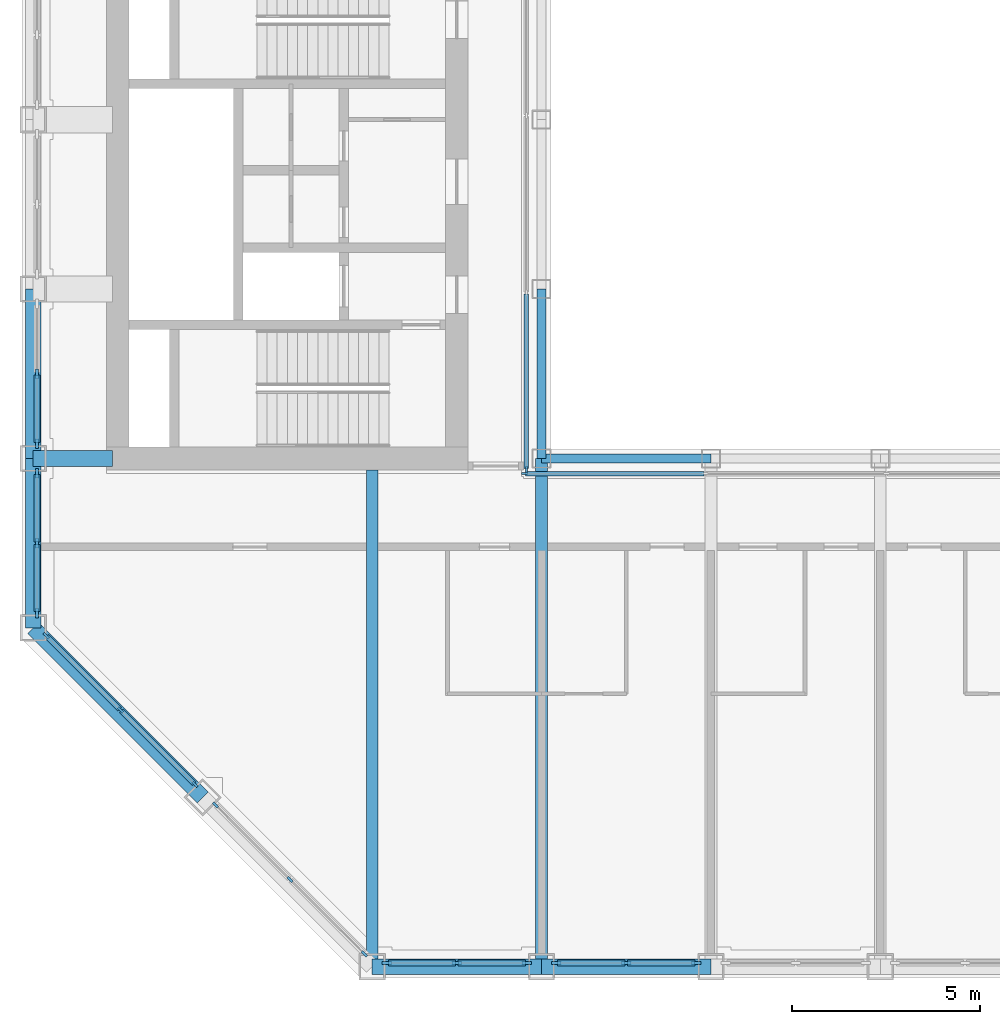
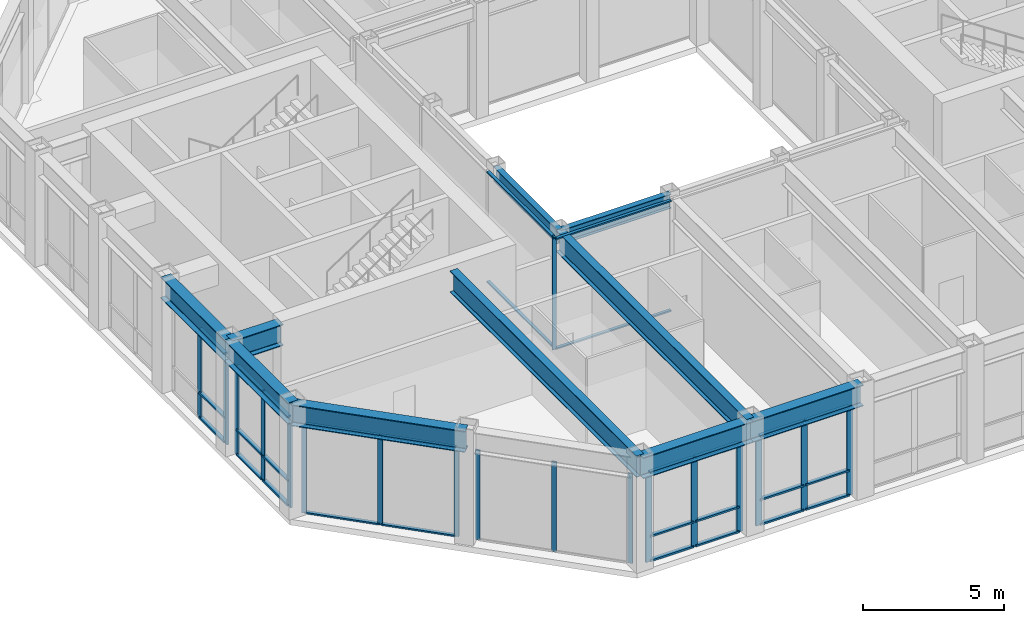
# One storey, part 2 of 15: 48 members, 10 beams, 8 elements without a shape of their own.
"""IFC4 building model written with IfcOpenShell, lengths in metres."""

from ifc_helpers import new_model, si_unit, direction, frame, origin, origin_2d, place, context, subcontext, project, spatial, rectangle, i_section, extrude, material, material_profile, profile_set, type_object, element, aggregate, save


model = new_model("IFC4")

# Units and contexts
model_context = context("Model", 3, precision=1e-05, world=origin(), true_north=direction((0.0, 1.0)))
body_context = subcontext(model_context, "Body", "Model", "MODEL_VIEW")
ifc_project = project(units=[si_unit("LENGTHUNIT", "METRE"), si_unit("AREAUNIT", "SQUARE_METRE"), si_unit("VOLUMEUNIT", "CUBIC_METRE"), si_unit("PLANEANGLEUNIT", "RADIAN"), si_unit("MASSUNIT", "GRAM", prefix="KILO")], contexts=[model_context])

# Site, building, storey
site_placement = place(None, origin())
site = spatial("IfcSite", under=ifc_project, at=site_placement, CompositionType="ELEMENT")
building_placement = place(site_placement, origin())
building = spatial("IfcBuilding", under=site, at=building_placement, Name="Msasa Ring Tower", CompositionType="ELEMENT")
storey_placement = place(building_placement, frame((0.0, 0.0, 195.800048828125)))
storey = spatial("IfcBuildingStorey", under=building, at=storey_placement, Name="L51", CompositionType="ELEMENT", Elevation=195.800048828125)

# Curtain wall, members
ifc_material_1 = material(Name="Aluminium curtain wall with clear glass", Category="aluminium")
curtain_wall_type_1 = type_object("IfcCurtainWallType", Name="CW-C CHAMFER CORNER CURTAIN WALL", PredefinedType="NOTDEFINED", material=ifc_material_1)
curtain_wall_1_placement = place(storey_placement, origin())
curtain_wall_1 = element("IfcCurtainWall", 1, at=curtain_wall_1_placement, inside=storey, type_object=curtain_wall_type_1, Name="Chamfer corner curtain wall SW L51", PredefinedType="NOTDEFINED")
ifc_material_2 = material(Name="Aluminium mullion", Category="aluminium")
ifc_material_profile_1 = material_profile(ifc_material_2, rectangle(XDim=0.06494140625, YDim=0.179931640625, at=origin_2d()), Name="AL 65x180")
ifc_profile_set_1 = profile_set([ifc_material_profile_1], Name="Aluminium mullion")
member_type_1 = type_object("IfcMemberType", Name="CW-C MULLION 65x180", PredefinedType="MULLION", material=ifc_profile_set_1)
member_1_placement = place(storey_placement, frame((-19.9052734375, -11.453369140625, 0.0), z_axis=(0.0, 0.0, 1.0), x_axis=(0.707106781187, 0.707106781187, 0.0)))
member_1 = element("IfcMember", 2, at=member_1_placement, type_object=member_type_1, Name="CW-C mullion 1", PredefinedType="MULLION", context=body_context, shape_type="SweptSolid", body=[
    extrude(rectangle(XDim=0.06494140625, YDim=0.179931640625, at=origin_2d()), origin(), (0.0, 0.0, 1.0), 3.87890625),
])
member_2_placement = place(storey_placement, frame((-17.92919921875, -13.42919921875, 0.0), z_axis=(0.0, 0.0, 1.0), x_axis=(0.707106781187, 0.707106781187, 0.0)))
member_2 = element("IfcMember", 3, at=member_2_placement, type_object=member_type_1, Name="CW-C mullion 2", PredefinedType="MULLION", context=body_context, shape_type="SweptSolid", body=[
    extrude(rectangle(XDim=0.06494140625, YDim=0.179931640625, at=origin_2d()), origin(), (0.0, 0.0, 1.0), 3.87890625),
])
member_3_placement = place(storey_placement, frame((-15.953369140625, -15.4052734375, 0.0), z_axis=(0.0, 0.0, 1.0), x_axis=(0.707106781187, 0.707106781187, 0.0)))
member_3 = element("IfcMember", 4, at=member_3_placement, type_object=member_type_1, Name="CW-C mullion 3", PredefinedType="MULLION", context=body_context, shape_type="SweptSolid", body=[
    extrude(rectangle(XDim=0.06494140625, YDim=0.179931640625, at=origin_2d()), origin(), (0.0, 0.0, 1.0), 3.87890625),
])

curtain_wall_2_placement = place(storey_placement, origin())
curtain_wall_2 = element("IfcCurtainWall", 5, at=curtain_wall_2_placement, inside=storey, type_object=curtain_wall_type_1, Name="Chamfer corner curtain wall SW L51", PredefinedType="NOTDEFINED")
member_4_placement = place(storey_placement, frame((-15.4052734375, -15.953369140625, 0.0), z_axis=(0.0, 0.0, 1.0), x_axis=(0.707106781187, 0.707106781187, 0.0)))
member_4 = element("IfcMember", 6, at=member_4_placement, type_object=member_type_1, Name="CW-C mullion 1", PredefinedType="MULLION", context=body_context, shape_type="SweptSolid", body=[
    extrude(rectangle(XDim=0.06494140625, YDim=0.179931640625, at=origin_2d()), origin(), (0.0, 0.0, 1.0), 3.87890625),
])
member_5_placement = place(storey_placement, frame((-13.42919921875, -17.92919921875, 0.0), z_axis=(0.0, 0.0, 1.0), x_axis=(0.707106781187, 0.707106781187, 0.0)))
member_5 = element("IfcMember", 7, at=member_5_placement, type_object=member_type_1, Name="CW-C mullion 2", PredefinedType="MULLION", context=body_context, shape_type="SweptSolid", body=[
    extrude(rectangle(XDim=0.06494140625, YDim=0.179931640625, at=origin_2d()), origin(), (0.0, 0.0, 1.0), 3.87890625),
])
member_6_placement = place(storey_placement, frame((-11.453369140625, -19.9052734375, 0.0), z_axis=(0.0, 0.0, 1.0), x_axis=(0.707106781187, 0.707106781187, 0.0)))
member_6 = element("IfcMember", 8, at=member_6_placement, type_object=member_type_1, Name="CW-C mullion 3", PredefinedType="MULLION", context=body_context, shape_type="SweptSolid", body=[
    extrude(rectangle(XDim=0.06494140625, YDim=0.179931640625, at=origin_2d()), origin(), (0.0, 0.0, 1.0), 3.87890625),
])
aggregate(curtain_wall_2, [member_4, member_5, member_6])

# Member
ifc_material_3 = material(Name="Aluminium transom", Category="aluminium")
ifc_material_profile_2 = material_profile(ifc_material_3, rectangle(XDim=0.139892578125, YDim=0.06494140625, at=origin_2d()), Name="AL 65x140")
ifc_profile_set_2 = profile_set([ifc_material_profile_2], Name="Aluminium transom")
member_type_2 = type_object("IfcMemberType", Name="CW-C TRANSOM 65x140", PredefinedType="USERDEFINED", material=ifc_profile_set_2)
member_7_placement = place(storey_placement, frame((-19.88232421875, -11.476318359375, 0.032470703125), z_axis=(0.707106781187, -0.707106781187, 0.0), x_axis=(0.707106781187, 0.707106781187, 0.0)))
member_7 = element("IfcMember", 9, at=member_7_placement, type_object=member_type_2, Name="CW-C transom 1.1", ObjectType="TRANSOM", PredefinedType="USERDEFINED", context=body_context, shape_type="SweptSolid", body=[
    extrude(rectangle(XDim=0.139892578125, YDim=0.06494140625, at=origin_2d()), origin(), (0.0, 0.0, 1.0), 2.729248046875),
])

member_8_placement = place(storey_placement, frame((-19.88232421875, -11.476318359375, 3.846435546875), z_axis=(0.707106781187, -0.707106781187, 0.0), x_axis=(0.707106781187, 0.707106781187, 0.0)))
member_8 = element("IfcMember", 10, at=member_8_placement, type_object=member_type_2, Name="CW-C transom 1.2", ObjectType="TRANSOM", PredefinedType="USERDEFINED", context=body_context, shape_type="SweptSolid", body=[
    extrude(rectangle(XDim=0.139892578125, YDim=0.06494140625, at=origin_2d()), origin(), (0.0, 0.0, 1.0), 2.729248046875),
])

member_9_placement = place(storey_placement, frame((-17.90625, -13.452392578125, 0.032470703125), z_axis=(0.707106781187, -0.707106781187, 0.0), x_axis=(0.707106781187, 0.707106781187, 0.0)))
member_9 = element("IfcMember", 11, at=member_9_placement, type_object=member_type_2, Name="CW-C transom 2.1", ObjectType="TRANSOM", PredefinedType="USERDEFINED", context=body_context, shape_type="SweptSolid", body=[
    extrude(rectangle(XDim=0.139892578125, YDim=0.06494140625, at=origin_2d()), origin(), (0.0, 0.0, 1.0), 2.729248046875),
])

member_10_placement = place(storey_placement, frame((-17.90625, -13.452392578125, 3.846435546875), z_axis=(0.707106781187, -0.707106781187, 0.0), x_axis=(0.707106781187, 0.707106781187, 0.0)))
member_10 = element("IfcMember", 12, at=member_10_placement, type_object=member_type_2, Name="CW-C transom 2.2", ObjectType="TRANSOM", PredefinedType="USERDEFINED", context=body_context, shape_type="SweptSolid", body=[
    extrude(rectangle(XDim=0.139892578125, YDim=0.06494140625, at=origin_2d()), origin(), (0.0, 0.0, 1.0), 2.729248046875),
])

aggregate(curtain_wall_1, [member_1, member_2, member_3, member_7, member_8, member_9, member_10])

# Curtain wall, members
ifc_material_4 = material(Name="Aluminium curtain wall with clear glass", Category="aluminium")
curtain_wall_type_2 = type_object("IfcCurtainWallType", Name="CW-S SKY LOBBY CURTAIN WALL", PredefinedType="NOTDEFINED", material=ifc_material_4)
curtain_wall_3_placement = place(storey_placement, origin())
curtain_wall_3 = element("IfcCurtainWall", 13, at=curtain_wall_3_placement, inside=storey, type_object=curtain_wall_type_2, Name="Sky lobby curtain wall S L51", PredefinedType="NOTDEFINED")
ifc_material_5 = material(Name="Aluminium mullion", Category="aluminium")
ifc_material_profile_3 = material_profile(ifc_material_5, rectangle(XDim=0.074951171875, YDim=0.25, at=origin_2d()), Name="AL 75x250")
ifc_profile_set_3 = profile_set([ifc_material_profile_3], Name="Aluminium mullion")
member_type_3 = type_object("IfcMemberType", Name="CW-S MULLION 75x250", PredefinedType="MULLION", material=ifc_profile_set_3)
member_11_placement = place(storey_placement, frame((-10.857421875, -20.14990234375, 0.0), z_axis=(0.0, 0.0, 1.0), x_axis=(0.0, 1.0, 0.0)))
member_11 = element("IfcMember", 14, at=member_11_placement, type_object=member_type_3, Name="CW-S mullion 1", PredefinedType="MULLION", context=body_context, shape_type="SweptSolid", body=[
    extrude(rectangle(XDim=0.074951171875, YDim=0.25, at=origin_2d()), origin(), (0.0, 0.0, 1.0), 3.87890625),
])
member_12_placement = place(storey_placement, frame((-9.0, -20.14990234375, 0.0), z_axis=(0.0, 0.0, 1.0), x_axis=(0.0, 1.0, 0.0)))
member_12 = element("IfcMember", 15, at=member_12_placement, type_object=member_type_3, Name="CW-S mullion 2", PredefinedType="MULLION", context=body_context, shape_type="SweptSolid", body=[
    extrude(rectangle(XDim=0.074951171875, YDim=0.25, at=origin_2d()), origin(), (0.0, 0.0, 1.0), 3.87890625),
])
member_13_placement = place(storey_placement, frame((-7.142578125, -20.14990234375, 0.0), z_axis=(0.0, 0.0, 1.0), x_axis=(0.0, 1.0, 0.0)))
member_13 = element("IfcMember", 16, at=member_13_placement, type_object=member_type_3, Name="CW-S mullion 3", PredefinedType="MULLION", context=body_context, shape_type="SweptSolid", body=[
    extrude(rectangle(XDim=0.074951171875, YDim=0.25, at=origin_2d()), origin(), (0.0, 0.0, 1.0), 3.87890625),
])

curtain_wall_4_placement = place(storey_placement, origin())
curtain_wall_4 = element("IfcCurtainWall", 17, at=curtain_wall_4_placement, inside=storey, type_object=curtain_wall_type_2, Name="Sky lobby curtain wall S L51", PredefinedType="NOTDEFINED")
member_14_placement = place(storey_placement, frame((-6.357421875, -20.14990234375, 0.0), z_axis=(0.0, 0.0, 1.0), x_axis=(0.0, 1.0, 0.0)))
member_14 = element("IfcMember", 18, at=member_14_placement, type_object=member_type_3, Name="CW-S mullion 1", PredefinedType="MULLION", context=body_context, shape_type="SweptSolid", body=[
    extrude(rectangle(XDim=0.074951171875, YDim=0.25, at=origin_2d()), origin(), (0.0, 0.0, 1.0), 3.87890625),
])
member_15_placement = place(storey_placement, frame((-4.5, -20.14990234375, 0.0), z_axis=(0.0, 0.0, 1.0), x_axis=(0.0, 1.0, 0.0)))
member_15 = element("IfcMember", 19, at=member_15_placement, type_object=member_type_3, Name="CW-S mullion 2", PredefinedType="MULLION", context=body_context, shape_type="SweptSolid", body=[
    extrude(rectangle(XDim=0.074951171875, YDim=0.25, at=origin_2d()), origin(), (0.0, 0.0, 1.0), 3.87890625),
])
member_16_placement = place(storey_placement, frame((-2.642578125, -20.14990234375, 0.0), z_axis=(0.0, 0.0, 1.0), x_axis=(0.0, 1.0, 0.0)))
member_16 = element("IfcMember", 20, at=member_16_placement, type_object=member_type_3, Name="CW-S mullion 3", PredefinedType="MULLION", context=body_context, shape_type="SweptSolid", body=[
    extrude(rectangle(XDim=0.074951171875, YDim=0.25, at=origin_2d()), origin(), (0.0, 0.0, 1.0), 3.87890625),
])

curtain_wall_5_placement = place(storey_placement, origin())
curtain_wall_5 = element("IfcCurtainWall", 21, at=curtain_wall_5_placement, inside=storey, type_object=curtain_wall_type_2, Name="Sky lobby curtain wall W L51", PredefinedType="NOTDEFINED")
member_17_placement = place(storey_placement, frame((-20.14990234375, -10.857421875, 0.0), z_axis=(0.0, 0.0, 1.0), x_axis=(-1.0, 0.0, 0.0)))
member_17 = element("IfcMember", 22, at=member_17_placement, type_object=member_type_3, Name="CW-S mullion 1", PredefinedType="MULLION", context=body_context, shape_type="SweptSolid", body=[
    extrude(rectangle(XDim=0.074951171875, YDim=0.25, at=origin_2d()), origin(), (0.0, 0.0, 1.0), 3.87890625),
])
member_18_placement = place(storey_placement, frame((-20.14990234375, -9.0, 0.0), z_axis=(0.0, 0.0, 1.0), x_axis=(-1.0, 0.0, 0.0)))
member_18 = element("IfcMember", 23, at=member_18_placement, type_object=member_type_3, Name="CW-S mullion 2", PredefinedType="MULLION", context=body_context, shape_type="SweptSolid", body=[
    extrude(rectangle(XDim=0.074951171875, YDim=0.25, at=origin_2d()), origin(), (0.0, 0.0, 1.0), 3.87890625),
])
member_19_placement = place(storey_placement, frame((-20.14990234375, -7.142578125, 0.0), z_axis=(0.0, 0.0, 1.0), x_axis=(-1.0, 0.0, 0.0)))
member_19 = element("IfcMember", 24, at=member_19_placement, type_object=member_type_3, Name="CW-S mullion 3", PredefinedType="MULLION", context=body_context, shape_type="SweptSolid", body=[
    extrude(rectangle(XDim=0.074951171875, YDim=0.25, at=origin_2d()), origin(), (0.0, 0.0, 1.0), 3.87890625),
])

curtain_wall_6_placement = place(storey_placement, origin())
curtain_wall_6 = element("IfcCurtainWall", 25, at=curtain_wall_6_placement, inside=storey, type_object=curtain_wall_type_2, Name="Sky lobby curtain wall W L51", PredefinedType="NOTDEFINED")
member_20_placement = place(storey_placement, frame((-20.14990234375, -6.357421875, 0.0), z_axis=(0.0, 0.0, 1.0), x_axis=(-1.0, 0.0, 0.0)))
member_20 = element("IfcMember", 26, at=member_20_placement, type_object=member_type_3, Name="CW-S mullion 1", PredefinedType="MULLION", context=body_context, shape_type="SweptSolid", body=[
    extrude(rectangle(XDim=0.074951171875, YDim=0.25, at=origin_2d()), origin(), (0.0, 0.0, 1.0), 3.87890625),
])
member_21_placement = place(storey_placement, frame((-20.14990234375, -4.5, 0.0), z_axis=(0.0, 0.0, 1.0), x_axis=(-1.0, 0.0, 0.0)))
member_21 = element("IfcMember", 27, at=member_21_placement, type_object=member_type_3, Name="CW-S mullion 2", PredefinedType="MULLION", context=body_context, shape_type="SweptSolid", body=[
    extrude(rectangle(XDim=0.074951171875, YDim=0.25, at=origin_2d()), origin(), (0.0, 0.0, 1.0), 3.87890625),
])

# Member
ifc_material_6 = material(Name="Aluminium transom", Category="aluminium")
ifc_material_profile_4 = material_profile(ifc_material_6, rectangle(XDim=0.159912109375, YDim=0.074951171875, at=origin_2d()), Name="AL 75x160")
ifc_profile_set_4 = profile_set([ifc_material_profile_4], Name="Aluminium transom")
member_type_4 = type_object("IfcMemberType", Name="CW-S TRANSOM 75x160", PredefinedType="USERDEFINED", material=ifc_profile_set_4)
member_22_placement = place(storey_placement, frame((-10.820068359375, -20.14990234375, 0.037353515625), z_axis=(1.0, 0.0, 0.0), x_axis=(0.0, 1.0, 0.0)))
member_22 = element("IfcMember", 28, at=member_22_placement, type_object=member_type_4, Name="CW-S transom 1.1", ObjectType="TRANSOM", PredefinedType="USERDEFINED", context=body_context, shape_type="SweptSolid", body=[
    extrude(rectangle(XDim=0.159912109375, YDim=0.074951171875, at=origin_2d()), origin(), (0.0, 0.0, 1.0), 1.782470703125),
])

member_23_placement = place(storey_placement, frame((-10.820068359375, -20.14990234375, 1.099853515625), z_axis=(1.0, 0.0, 0.0), x_axis=(0.0, 1.0, 0.0)))
member_23 = element("IfcMember", 29, at=member_23_placement, type_object=member_type_4, Name="CW-S transom 1.2", ObjectType="TRANSOM", PredefinedType="USERDEFINED", context=body_context, shape_type="SweptSolid", body=[
    extrude(rectangle(XDim=0.159912109375, YDim=0.074951171875, at=origin_2d()), origin(), (0.0, 0.0, 1.0), 1.782470703125),
])

member_24_placement = place(storey_placement, frame((-10.820068359375, -20.14990234375, 3.841552734375), z_axis=(1.0, 0.0, 0.0), x_axis=(0.0, 1.0, 0.0)))
member_24 = element("IfcMember", 30, at=member_24_placement, type_object=member_type_4, Name="CW-S transom 1.3", ObjectType="TRANSOM", PredefinedType="USERDEFINED", context=body_context, shape_type="SweptSolid", body=[
    extrude(rectangle(XDim=0.159912109375, YDim=0.074951171875, at=origin_2d()), origin(), (0.0, 0.0, 1.0), 1.782470703125),
])

member_25_placement = place(storey_placement, frame((-8.96240234375, -20.14990234375, 0.037353515625), z_axis=(1.0, 0.0, 0.0), x_axis=(0.0, 1.0, 0.0)))
member_25 = element("IfcMember", 31, at=member_25_placement, type_object=member_type_4, Name="CW-S transom 2.1", ObjectType="TRANSOM", PredefinedType="USERDEFINED", context=body_context, shape_type="SweptSolid", body=[
    extrude(rectangle(XDim=0.159912109375, YDim=0.074951171875, at=origin_2d()), origin(), (0.0, 0.0, 1.0), 1.782470703125),
])

member_26_placement = place(storey_placement, frame((-8.96240234375, -20.14990234375, 1.099853515625), z_axis=(1.0, 0.0, 0.0), x_axis=(0.0, 1.0, 0.0)))
member_26 = element("IfcMember", 32, at=member_26_placement, type_object=member_type_4, Name="CW-S transom 2.2", ObjectType="TRANSOM", PredefinedType="USERDEFINED", context=body_context, shape_type="SweptSolid", body=[
    extrude(rectangle(XDim=0.159912109375, YDim=0.074951171875, at=origin_2d()), origin(), (0.0, 0.0, 1.0), 1.782470703125),
])

member_27_placement = place(storey_placement, frame((-8.96240234375, -20.14990234375, 3.841552734375), z_axis=(1.0, 0.0, 0.0), x_axis=(0.0, 1.0, 0.0)))
member_27 = element("IfcMember", 33, at=member_27_placement, type_object=member_type_4, Name="CW-S transom 2.3", ObjectType="TRANSOM", PredefinedType="USERDEFINED", context=body_context, shape_type="SweptSolid", body=[
    extrude(rectangle(XDim=0.159912109375, YDim=0.074951171875, at=origin_2d()), origin(), (0.0, 0.0, 1.0), 1.782470703125),
])

aggregate(curtain_wall_3, [member_11, member_12, member_13, member_22, member_23, member_24, member_25, member_26, member_27])

member_28_placement = place(storey_placement, frame((-6.320068359375, -20.14990234375, 0.037353515625), z_axis=(1.0, 0.0, 0.0), x_axis=(0.0, 1.0, 0.0)))
member_28 = element("IfcMember", 34, at=member_28_placement, type_object=member_type_4, Name="CW-S transom 1.1", ObjectType="TRANSOM", PredefinedType="USERDEFINED", context=body_context, shape_type="SweptSolid", body=[
    extrude(rectangle(XDim=0.159912109375, YDim=0.074951171875, at=origin_2d()), origin(), (0.0, 0.0, 1.0), 1.782470703125),
])

member_29_placement = place(storey_placement, frame((-6.320068359375, -20.14990234375, 1.099853515625), z_axis=(1.0, 0.0, 0.0), x_axis=(0.0, 1.0, 0.0)))
member_29 = element("IfcMember", 35, at=member_29_placement, type_object=member_type_4, Name="CW-S transom 1.2", ObjectType="TRANSOM", PredefinedType="USERDEFINED", context=body_context, shape_type="SweptSolid", body=[
    extrude(rectangle(XDim=0.159912109375, YDim=0.074951171875, at=origin_2d()), origin(), (0.0, 0.0, 1.0), 1.782470703125),
])

member_30_placement = place(storey_placement, frame((-6.320068359375, -20.14990234375, 3.841552734375), z_axis=(1.0, 0.0, 0.0), x_axis=(0.0, 1.0, 0.0)))
member_30 = element("IfcMember", 36, at=member_30_placement, type_object=member_type_4, Name="CW-S transom 1.3", ObjectType="TRANSOM", PredefinedType="USERDEFINED", context=body_context, shape_type="SweptSolid", body=[
    extrude(rectangle(XDim=0.159912109375, YDim=0.074951171875, at=origin_2d()), origin(), (0.0, 0.0, 1.0), 1.782470703125),
])

member_31_placement = place(storey_placement, frame((-4.46240234375, -20.14990234375, 0.037353515625), z_axis=(1.0, 0.0, 0.0), x_axis=(0.0, 1.0, 0.0)))
member_31 = element("IfcMember", 37, at=member_31_placement, type_object=member_type_4, Name="CW-S transom 2.1", ObjectType="TRANSOM", PredefinedType="USERDEFINED", context=body_context, shape_type="SweptSolid", body=[
    extrude(rectangle(XDim=0.159912109375, YDim=0.074951171875, at=origin_2d()), origin(), (0.0, 0.0, 1.0), 1.782470703125),
])

member_32_placement = place(storey_placement, frame((-4.46240234375, -20.14990234375, 1.099853515625), z_axis=(1.0, 0.0, 0.0), x_axis=(0.0, 1.0, 0.0)))
member_32 = element("IfcMember", 38, at=member_32_placement, type_object=member_type_4, Name="CW-S transom 2.2", ObjectType="TRANSOM", PredefinedType="USERDEFINED", context=body_context, shape_type="SweptSolid", body=[
    extrude(rectangle(XDim=0.159912109375, YDim=0.074951171875, at=origin_2d()), origin(), (0.0, 0.0, 1.0), 1.782470703125),
])

member_33_placement = place(storey_placement, frame((-4.46240234375, -20.14990234375, 3.841552734375), z_axis=(1.0, 0.0, 0.0), x_axis=(0.0, 1.0, 0.0)))
member_33 = element("IfcMember", 39, at=member_33_placement, type_object=member_type_4, Name="CW-S transom 2.3", ObjectType="TRANSOM", PredefinedType="USERDEFINED", context=body_context, shape_type="SweptSolid", body=[
    extrude(rectangle(XDim=0.159912109375, YDim=0.074951171875, at=origin_2d()), origin(), (0.0, 0.0, 1.0), 1.782470703125),
])

aggregate(curtain_wall_4, [member_14, member_15, member_16, member_28, member_29, member_30, member_31, member_32, member_33])

member_34_placement = place(storey_placement, frame((-20.14990234375, -10.820068359375, 0.037353515625), z_axis=(0.0, 1.0, 0.0), x_axis=(-1.0, 0.0, 0.0)))
member_34 = element("IfcMember", 40, at=member_34_placement, type_object=member_type_4, Name="CW-S transom 1.1", ObjectType="TRANSOM", PredefinedType="USERDEFINED", context=body_context, shape_type="SweptSolid", body=[
    extrude(rectangle(XDim=0.159912109375, YDim=0.074951171875, at=origin_2d()), origin(), (0.0, 0.0, 1.0), 1.782470703125),
])

member_35_placement = place(storey_placement, frame((-20.14990234375, -10.820068359375, 1.099853515625), z_axis=(0.0, 1.0, 0.0), x_axis=(-1.0, 0.0, 0.0)))
member_35 = element("IfcMember", 41, at=member_35_placement, type_object=member_type_4, Name="CW-S transom 1.2", ObjectType="TRANSOM", PredefinedType="USERDEFINED", context=body_context, shape_type="SweptSolid", body=[
    extrude(rectangle(XDim=0.159912109375, YDim=0.074951171875, at=origin_2d()), origin(), (0.0, 0.0, 1.0), 1.782470703125),
])

member_36_placement = place(storey_placement, frame((-20.14990234375, -10.820068359375, 3.841552734375), z_axis=(0.0, 1.0, 0.0), x_axis=(-1.0, 0.0, 0.0)))
member_36 = element("IfcMember", 42, at=member_36_placement, type_object=member_type_4, Name="CW-S transom 1.3", ObjectType="TRANSOM", PredefinedType="USERDEFINED", context=body_context, shape_type="SweptSolid", body=[
    extrude(rectangle(XDim=0.159912109375, YDim=0.074951171875, at=origin_2d()), origin(), (0.0, 0.0, 1.0), 1.782470703125),
])

member_37_placement = place(storey_placement, frame((-20.14990234375, -8.96240234375, 0.037353515625), z_axis=(0.0, 1.0, 0.0), x_axis=(-1.0, 0.0, 0.0)))
member_37 = element("IfcMember", 43, at=member_37_placement, type_object=member_type_4, Name="CW-S transom 2.1", ObjectType="TRANSOM", PredefinedType="USERDEFINED", context=body_context, shape_type="SweptSolid", body=[
    extrude(rectangle(XDim=0.159912109375, YDim=0.074951171875, at=origin_2d()), origin(), (0.0, 0.0, 1.0), 1.782470703125),
])

member_38_placement = place(storey_placement, frame((-20.14990234375, -8.96240234375, 1.099853515625), z_axis=(0.0, 1.0, 0.0), x_axis=(-1.0, 0.0, 0.0)))
member_38 = element("IfcMember", 44, at=member_38_placement, type_object=member_type_4, Name="CW-S transom 2.2", ObjectType="TRANSOM", PredefinedType="USERDEFINED", context=body_context, shape_type="SweptSolid", body=[
    extrude(rectangle(XDim=0.159912109375, YDim=0.074951171875, at=origin_2d()), origin(), (0.0, 0.0, 1.0), 1.782470703125),
])

member_39_placement = place(storey_placement, frame((-20.14990234375, -8.96240234375, 3.841552734375), z_axis=(0.0, 1.0, 0.0), x_axis=(-1.0, 0.0, 0.0)))
member_39 = element("IfcMember", 45, at=member_39_placement, type_object=member_type_4, Name="CW-S transom 2.3", ObjectType="TRANSOM", PredefinedType="USERDEFINED", context=body_context, shape_type="SweptSolid", body=[
    extrude(rectangle(XDim=0.159912109375, YDim=0.074951171875, at=origin_2d()), origin(), (0.0, 0.0, 1.0), 1.782470703125),
])

aggregate(curtain_wall_5, [member_17, member_18, member_19, member_34, member_35, member_36, member_37, member_38, member_39])

member_40_placement = place(storey_placement, frame((-20.14990234375, -6.320068359375, 0.037353515625), z_axis=(0.0, 1.0, 0.0), x_axis=(-1.0, 0.0, 0.0)))
member_40 = element("IfcMember", 46, at=member_40_placement, type_object=member_type_4, Name="CW-S transom 1.1", ObjectType="TRANSOM", PredefinedType="USERDEFINED", context=body_context, shape_type="SweptSolid", body=[
    extrude(rectangle(XDim=0.159912109375, YDim=0.074951171875, at=origin_2d()), origin(), (0.0, 0.0, 1.0), 1.782470703125),
])

member_41_placement = place(storey_placement, frame((-20.14990234375, -6.320068359375, 1.099853515625), z_axis=(0.0, 1.0, 0.0), x_axis=(-1.0, 0.0, 0.0)))
member_41 = element("IfcMember", 47, at=member_41_placement, type_object=member_type_4, Name="CW-S transom 1.2", ObjectType="TRANSOM", PredefinedType="USERDEFINED", context=body_context, shape_type="SweptSolid", body=[
    extrude(rectangle(XDim=0.159912109375, YDim=0.074951171875, at=origin_2d()), origin(), (0.0, 0.0, 1.0), 1.782470703125),
])

member_42_placement = place(storey_placement, frame((-20.14990234375, -6.320068359375, 3.841552734375), z_axis=(0.0, 1.0, 0.0), x_axis=(-1.0, 0.0, 0.0)))
member_42 = element("IfcMember", 48, at=member_42_placement, type_object=member_type_4, Name="CW-S transom 1.3", ObjectType="TRANSOM", PredefinedType="USERDEFINED", context=body_context, shape_type="SweptSolid", body=[
    extrude(rectangle(XDim=0.159912109375, YDim=0.074951171875, at=origin_2d()), origin(), (0.0, 0.0, 1.0), 1.782470703125),
])

aggregate(curtain_wall_6, [member_20, member_21, member_40, member_41, member_42])

# Curtain wall, member
ifc_material_7 = material(Name="Aluminium curtain wall with clear glass", Category="aluminium")
curtain_wall_type_3 = type_object("IfcCurtainWallType", Name="CW-W LIGHT WELL CURTAIN WALL", PredefinedType="NOTDEFINED", material=ifc_material_7)
curtain_wall_7_placement = place(storey_placement, origin())
curtain_wall_7 = element("IfcCurtainWall", 49, at=curtain_wall_7_placement, inside=storey, type_object=curtain_wall_type_3, Name="Light well curtain wall S L51", PredefinedType="NOTDEFINED")
ifc_material_8 = material(Name="Aluminium mullion", Category="aluminium")
ifc_material_profile_5 = material_profile(ifc_material_8, rectangle(XDim=0.06005859375, YDim=0.159912109375, at=origin_2d()), Name="AL 60x160")
ifc_profile_set_5 = profile_set([ifc_material_profile_5], Name="Aluminium mullion")
member_type_5 = type_object("IfcMemberType", Name="CW-W MULLION 60x160", PredefinedType="MULLION", material=ifc_profile_set_5)
member_43_placement = place(storey_placement, frame((-7.199951171875, -7.14990234375, 0.0), z_axis=(0.0, 0.0, 1.0), x_axis=(0.0, 1.0, 0.0)))
member_43 = element("IfcMember", 50, at=member_43_placement, type_object=member_type_5, Name="CW-W mullion 1", PredefinedType="MULLION", context=body_context, shape_type="SweptSolid", body=[
    extrude(rectangle(XDim=0.06005859375, YDim=0.159912109375, at=origin_2d()), origin(), (0.0, 0.0, 1.0), 4.800048828125),
])

curtain_wall_8_placement = place(storey_placement, origin())
curtain_wall_8 = element("IfcCurtainWall", 51, at=curtain_wall_8_placement, inside=storey, type_object=curtain_wall_type_3, Name="Light well curtain wall W L51", PredefinedType="NOTDEFINED")
member_44_placement = place(storey_placement, frame((-7.14990234375, -7.0400390625, 0.0), z_axis=(0.0, 0.0, 1.0), x_axis=(-1.0, 0.0, 0.0)))
member_44 = element("IfcMember", 52, at=member_44_placement, type_object=member_type_5, Name="CW-W mullion 1", PredefinedType="MULLION", context=body_context, shape_type="SweptSolid", body=[
    extrude(rectangle(XDim=0.06005859375, YDim=0.159912109375, at=origin_2d()), origin(), (0.0, 0.0, 1.0), 4.800048828125),
])

# Member
ifc_material_9 = material(Name="Aluminium transom", Category="aluminium")
ifc_material_profile_6 = material_profile(ifc_material_9, rectangle(XDim=0.1201171875, YDim=0.06005859375, at=origin_2d()), Name="AL 60x120")
ifc_profile_set_6 = profile_set([ifc_material_profile_6], Name="Aluminium transom")
member_type_6 = type_object("IfcMemberType", Name="CW-W TRANSOM 60x120", PredefinedType="USERDEFINED", material=ifc_profile_set_6)
member_45_placement = place(storey_placement, frame((-7.169921875, -7.14990234375, 0.030029296875), z_axis=(1.0, 0.0, 0.0), x_axis=(0.0, 1.0, 0.0)))
member_45 = element("IfcMember", 53, at=member_45_placement, type_object=member_type_6, Name="CW-W transom 1.1", ObjectType="TRANSOM", PredefinedType="USERDEFINED", context=body_context, shape_type="SweptSolid", body=[
    extrude(rectangle(XDim=0.1201171875, YDim=0.06005859375, at=origin_2d()), origin(), (0.0, 0.0, 1.0), 4.72998046875),
])

member_46_placement = place(storey_placement, frame((-7.169921875, -7.14990234375, 4.77001953125), z_axis=(1.0, 0.0, 0.0), x_axis=(0.0, 1.0, 0.0)))
member_46 = element("IfcMember", 54, at=member_46_placement, type_object=member_type_6, Name="CW-W transom 1.2", ObjectType="TRANSOM", PredefinedType="USERDEFINED", context=body_context, shape_type="SweptSolid", body=[
    extrude(rectangle(XDim=0.1201171875, YDim=0.06005859375, at=origin_2d()), origin(), (0.0, 0.0, 1.0), 4.72998046875),
])

aggregate(curtain_wall_7, [member_43, member_45, member_46])

member_47_placement = place(storey_placement, frame((-7.14990234375, -7.010009765625, 0.030029296875), z_axis=(0.0, 1.0, 0.0), x_axis=(-1.0, 0.0, 0.0)))
member_47 = element("IfcMember", 55, at=member_47_placement, type_object=member_type_6, Name="CW-W transom 1.1", ObjectType="TRANSOM", PredefinedType="USERDEFINED", context=body_context, shape_type="SweptSolid", body=[
    extrude(rectangle(XDim=0.1201171875, YDim=0.06005859375, at=origin_2d()), origin(), (0.0, 0.0, 1.0), 4.623291015625),
])

member_48_placement = place(storey_placement, frame((-7.14990234375, -7.010009765625, 4.77001953125), z_axis=(0.0, 1.0, 0.0), x_axis=(-1.0, 0.0, 0.0)))
member_48 = element("IfcMember", 56, at=member_48_placement, type_object=member_type_6, Name="CW-W transom 1.2", ObjectType="TRANSOM", PredefinedType="USERDEFINED", context=body_context, shape_type="SweptSolid", body=[
    extrude(rectangle(XDim=0.1201171875, YDim=0.06005859375, at=origin_2d()), origin(), (0.0, 0.0, 1.0), 4.623291015625),
])

aggregate(curtain_wall_8, [member_44, member_47, member_48])

# Beams
ifc_material_10 = material(Name="Steel S355", Category="steel")
ifc_material_profile_7 = material_profile(ifc_material_10, i_section(OverallWidth=0.3076171875, OverallDepth=0.926513671875, WebThickness=0.01953125, FlangeThickness=0.031982421875, FilletRadius=0.01904296875, at=origin_2d()), Name="UB 914x305x289")
ifc_profile_set_7 = profile_set([ifc_material_profile_7], Name="Steel S355")
beam_type_1 = type_object("IfcBeamType", Name="FB3 UB 914x305x289", PredefinedType="BEAM", material=ifc_profile_set_7)
beam_1_placement = place(storey_placement, frame((-11.25, -20.25, 4.336669921875), z_axis=(0.0, 1.0, 0.0), x_axis=(-1.0, 0.0, 0.0)))
element("IfcBeam", 57, at=beam_1_placement, inside=storey, type_object=beam_type_1, Name="Floor beam S-11.25 under L52", PredefinedType="BEAM", context=body_context, shape_type="SweptSolid", body=[
    extrude(i_section(OverallWidth=0.3076171875, OverallDepth=0.926513671875, WebThickness=0.01953125, FlangeThickness=0.031982421875, FilletRadius=0.01904296875, at=origin_2d()), origin(), (0.0, 0.0, 1.0), 13.199951171875),
])
beam_2_placement = place(storey_placement, frame((-6.75, -20.25, 4.336669921875), z_axis=(0.0, 1.0, 0.0), x_axis=(-1.0, 0.0, 0.0)))
element("IfcBeam", 58, at=beam_2_placement, inside=storey, type_object=beam_type_1, Name="Floor beam S-6.75 under L52", PredefinedType="BEAM", context=body_context, shape_type="SweptSolid", body=[
    extrude(i_section(OverallWidth=0.3076171875, OverallDepth=0.926513671875, WebThickness=0.01953125, FlangeThickness=0.031982421875, FilletRadius=0.01904296875, at=origin_2d()), origin(), (0.0, 0.0, 1.0), 13.5),
])
ifc_material_11 = material(Name="Steel S355", Category="steel")
ifc_material_profile_8 = material_profile(ifc_material_11, i_section(OverallWidth=0.42041015625, OverallDepth=0.9208984375, WebThickness=0.021484375, FlangeThickness=0.03662109375, FilletRadius=0.024169921875, at=origin_2d()), Name="UB 914x419x388")
ifc_profile_set_8 = profile_set([ifc_material_profile_8], Name="Steel S355")
beam_type_2 = type_object("IfcBeamType", Name="GB1 UB 914x419x388", PredefinedType="BEAM", material=ifc_profile_set_8)
beam_3_placement = place(storey_placement, frame((-18.14990234375, -6.75, 4.33935546875), z_axis=(-1.0, 0.0, 0.0), x_axis=(0.0, -1.0, 0.0)))
element("IfcBeam", 59, at=beam_3_placement, inside=storey, type_object=beam_type_2, Name="Girder W -6.75 under L52", PredefinedType="BEAM", context=body_context, shape_type="SweptSolid", body=[
    extrude(i_section(OverallWidth=0.42041015625, OverallDepth=0.9208984375, WebThickness=0.021484375, FlangeThickness=0.03662109375, FilletRadius=0.024169921875, at=origin_2d()), origin(), (0.0, 0.0, 1.0), 2.10009765625),
])
ifc_material_12 = material(Name="Steel S355", Category="steel")
ifc_material_profile_9 = material_profile(ifc_material_12, i_section(OverallWidth=0.230224609375, OverallDepth=0.6171875, WebThickness=0.01318359375, FlangeThickness=0.022216796875, FilletRadius=0.0126953125, at=origin_2d()), Name="UB 610x229x140")
ifc_profile_set_9 = profile_set([ifc_material_profile_9], Name="Steel S355")
beam_type_3 = type_object("IfcBeamType", Name="RB1 UB 610x229x140", PredefinedType="BEAM", material=ifc_profile_set_9)
for number, where, z_axis, x_axis, name in (
    (60, (-6.75, -2.25, 4.491455078125), (0.0, -1.0, 0.0), (1.0, 0.0, 0.0), "Inner ring beam IR-6.75-2.25 under L52"),
    (61, (-6.75, -6.75, 4.491455078125), (1.0, 0.0, 0.0), (0.0, 1.0, 0.0), "Inner ring beam IR-6.75-6.75 under L52"),
):
    element("IfcBeam", number, at=place(storey_placement, frame(where, z_axis=z_axis, x_axis=x_axis)), inside=storey, type_object=beam_type_3, Name=name, PredefinedType="BEAM", context=body_context, shape_type="SweptSolid", body=[
        extrude(i_section(OverallWidth=0.230224609375, OverallDepth=0.6171875, WebThickness=0.01318359375, FlangeThickness=0.022216796875, FilletRadius=0.0126953125, at=origin_2d()), origin(), (0.0, 0.0, 1.0), 4.5),
    ])
ifc_material_13 = material(Name="Steel S355", Category="steel")
ifc_material_profile_10 = material_profile(ifc_material_13, i_section(OverallWidth=0.42041015625, OverallDepth=0.9208984375, WebThickness=0.021484375, FlangeThickness=0.03662109375, FilletRadius=0.024169921875, at=origin_2d()), Name="UB 914x419x388")
ifc_profile_set_10 = profile_set([ifc_material_profile_10], Name="Steel S355")
beam_type_4 = type_object("IfcBeamType", Name="SB1 UB 914x419x388", PredefinedType="SPANDREL", material=ifc_profile_set_10)
for number, where, z_axis, x_axis, name in (
    (62, (-20.25, -2.25, 4.33935546875), (0.0, -1.0, 0.0), (1.0, 0.0, 0.0), "Spandrel W-2.25 to W-6.75 under L52"),
    (63, (-20.25, -6.75, 4.33935546875), (0.0, -1.0, 0.0), (1.0, 0.0, 0.0), "Spandrel W-6.75 to W-11.25 under L52"),
):
    element("IfcBeam", number, at=place(storey_placement, frame(where, z_axis=z_axis, x_axis=x_axis)), inside=storey, type_object=beam_type_4, Name=name, PredefinedType="SPANDREL", context=body_context, shape_type="SweptSolid", body=[
        extrude(i_section(OverallWidth=0.42041015625, OverallDepth=0.9208984375, WebThickness=0.021484375, FlangeThickness=0.03662109375, FilletRadius=0.024169921875, at=origin_2d()), origin(), (0.0, 0.0, 1.0), 4.5),
    ])
beam_4_placement = place(storey_placement, frame((-20.25, -11.25, 4.33935546875), z_axis=(0.707106781187, -0.707106781187, 0.0), x_axis=(0.707106781187, 0.707106781187, 0.0)))
element("IfcBeam", 64, at=beam_4_placement, inside=storey, type_object=beam_type_4, Name="Spandrel W-11.25 to SW under L52", PredefinedType="SPANDREL", context=body_context, shape_type="SweptSolid", body=[
    extrude(i_section(OverallWidth=0.42041015625, OverallDepth=0.9208984375, WebThickness=0.021484375, FlangeThickness=0.03662109375, FilletRadius=0.024169921875, at=origin_2d()), origin(), (0.0, 0.0, 1.0), 6.364013671875),
])
for number, where, z_axis, x_axis, name in (
    (65, (-11.25, -20.25, 4.33935546875), (1.0, 0.0, 0.0), (0.0, 1.0, 0.0), "Spandrel S-11.25 to S-6.75 under L52"),
    (66, (-6.75, -20.25, 4.33935546875), (1.0, 0.0, 0.0), (0.0, 1.0, 0.0), "Spandrel S-6.75 to S-2.25 under L52"),
):
    element("IfcBeam", number, at=place(storey_placement, frame(where, z_axis=z_axis, x_axis=x_axis)), inside=storey, type_object=beam_type_4, Name=name, PredefinedType="SPANDREL", context=body_context, shape_type="SweptSolid", body=[
        extrude(i_section(OverallWidth=0.42041015625, OverallDepth=0.9208984375, WebThickness=0.021484375, FlangeThickness=0.03662109375, FilletRadius=0.024169921875, at=origin_2d()), origin(), (0.0, 0.0, 1.0), 4.5),
    ])

save(model, "model.ifc")
